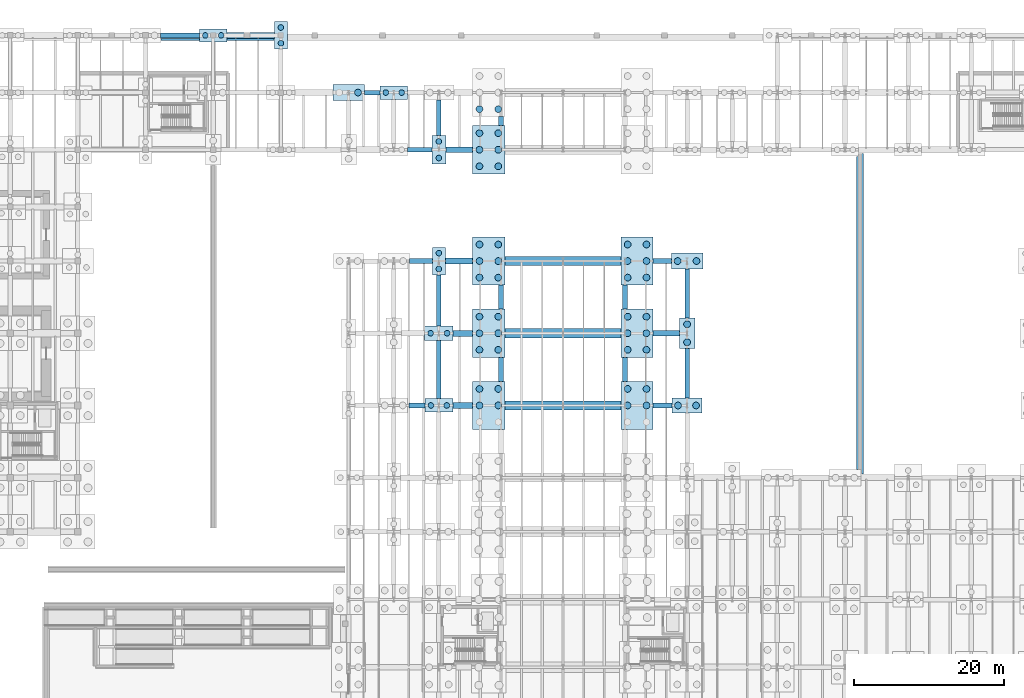
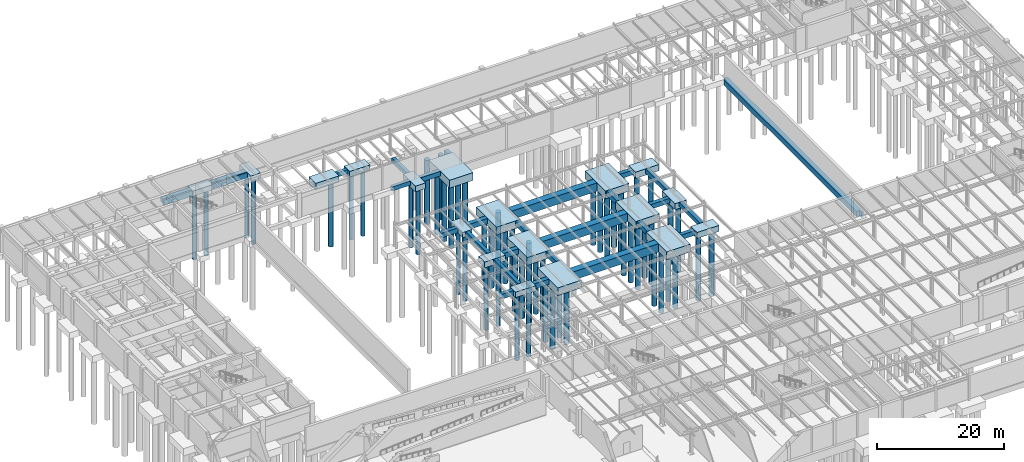
# One storey, part 8 of 59: 61 piles, 47 footings.
"""IFC4 building model written with IfcOpenShell, lengths in metres."""

from ifc_helpers import new_model, si_unit, direction, frame, origin, origin_2d, place, context, subcontext, project, spatial, polyline, rectangle, circle, outline, extrude, material, material_profile, profile_set, type_object, element, save


model = new_model("IFC4")

# Units and contexts
model_context = context("Model", 3, precision=1e-05, world=origin(), true_north=direction((0.0, 1.0)))
body_context = subcontext(model_context, "Body", "Model", "MODEL_VIEW")
ifc_project = project(units=[si_unit("LENGTHUNIT", "METRE"), si_unit("AREAUNIT", "SQUARE_METRE"), si_unit("VOLUMEUNIT", "CUBIC_METRE"), si_unit("PLANEANGLEUNIT", "RADIAN"), si_unit("MASSUNIT", "GRAM", prefix="KILO")], contexts=[model_context])

# Site, building, storey
site_placement = place(None, origin())
site = spatial("IfcSite", under=ifc_project, at=site_placement, CompositionType="ELEMENT")
building_placement = place(site_placement, origin())
building = spatial("IfcBuilding", under=site, at=building_placement, Name="Montealbar Specialist Clinic", CompositionType="ELEMENT")
storey_placement = place(building_placement, frame((0.0, 0.0, -4.800048828125)))
storey = spatial("IfcBuildingStorey", under=building, at=storey_placement, Name="B01", CompositionType="ELEMENT", Elevation=-4.800048828125)

# Footings
ifc_material = material(Name="Concrete C35/45", Category="concrete")
footing_type_1 = type_object("IfcFootingType", Name="FB-METRO-1200x1600", PredefinedType="FOOTING_BEAM", material=ifc_material)
footing_1_placement = place(storey_placement, frame((0.0, 0.0, -1.599853515625)))
element("IfcFooting", 1, at=footing_1_placement, inside=storey, type_object=footing_type_1, Name="Foundation Ground Beam FBX-748-902-618", PredefinedType="FOOTING_BEAM", context=body_context, shape_type="SweptSolid", body=[
    extrude(outline(polyline([(74.800048828125, 61.199951171875), (90.199951171875, 61.199951171875), (90.199951171875, 62.39990234375), (74.800048828125, 62.39990234375), (74.800048828125, 61.199951171875)])), origin(), (0.0, 0.0, 1.0), 1.599853515625),
])
footing_2_placement = place(storey_placement, frame((0.0, 0.0, -1.599853515625)))
element("IfcFooting", 2, at=footing_2_placement, inside=storey, type_object=footing_type_1, Name="Foundation Ground Beam FBX-748-902-714", PredefinedType="FOOTING_BEAM", context=body_context, shape_type="SweptSolid", body=[
    extrude(outline(polyline([(74.800048828125, 70.800048828125), (90.199951171875, 70.800048828125), (90.199951171875, 72.0), (74.800048828125, 72.0), (74.800048828125, 70.800048828125)])), origin(), (0.0, 0.0, 1.0), 1.599853515625),
])
footing_3_placement = place(storey_placement, frame((0.0, 0.0, -1.599853515625)))
element("IfcFooting", 3, at=footing_3_placement, inside=storey, type_object=footing_type_1, Name="Foundation Ground Beam FBX-748-902-810", PredefinedType="FOOTING_BEAM", context=body_context, shape_type="SweptSolid", body=[
    extrude(outline(polyline([(74.800048828125, 80.39990234375), (90.199951171875, 80.39990234375), (90.199951171875, 81.60009765625), (74.800048828125, 81.60009765625), (74.800048828125, 80.39990234375)])), origin(), (0.0, 0.0, 1.0), 1.599853515625),
])
footing_type_2 = type_object("IfcFootingType", Name="FB-TIE-600x800", PredefinedType="FOOTING_BEAM", material=ifc_material)
footing_4_placement = place(storey_placement, frame((0.0, 0.0, -0.800048828125)))
element("IfcFooting", 4, at=footing_4_placement, inside=storey, type_object=footing_type_2, Name="Foundation Ground Beam FBX-618-651-958", PredefinedType="FOOTING_BEAM", context=body_context, shape_type="SweptSolid", body=[
    extrude(outline(polyline([(61.800048828125, 95.5), (65.074951171875, 95.5), (65.074951171875, 96.10009765625), (61.800048828125, 96.10009765625), (61.800048828125, 95.5)])), origin(), (0.0, 0.0, 1.0), 0.800048828125),
])
footing_5_placement = place(storey_placement, frame((0.0, 0.0, -0.800048828125)))
element("IfcFooting", 5, at=footing_5_placement, inside=storey, type_object=footing_type_2, Name="Foundation Ground Beam FBX-561-582-1034", PredefinedType="FOOTING_BEAM", context=body_context, shape_type="SweptSolid", body=[
    extrude(outline(polyline([(56.10009765625, 103.10009765625), (58.14990234375, 103.10009765625), (58.14990234375, 103.699951171875), (56.10009765625, 103.699951171875), (56.10009765625, 103.10009765625)])), origin(), (0.0, 0.0, 1.0), 0.800048828125),
])
footing_6_placement = place(storey_placement, frame((0.0, 0.0, -0.800048828125)))
element("IfcFooting", 6, at=footing_6_placement, inside=storey, type_object=footing_type_2, Name="Foundation Tie Beam FBY-660-627-704", PredefinedType="FOOTING_BEAM", context=body_context, shape_type="SweptSolid", body=[
    extrude(outline(polyline([(65.699951171875, 62.699951171875), (66.300048828125, 62.699951171875), (66.300048828125, 70.449951171875), (65.699951171875, 70.449951171875), (65.699951171875, 62.699951171875)])), origin(), (0.0, 0.0, 1.0), 0.800048828125),
])
footing_7_placement = place(storey_placement, frame((0.0, 0.0, -0.800048828125)))
element("IfcFooting", 7, at=footing_7_placement, inside=storey, type_object=footing_type_2, Name="Foundation Tie Beam FBY-660-724-792", PredefinedType="FOOTING_BEAM", context=body_context, shape_type="SweptSolid", body=[
    extrude(outline(polyline([(65.699951171875, 72.35009765625), (66.300048828125, 72.35009765625), (66.300048828125, 79.175048828125), (65.699951171875, 79.175048828125), (65.699951171875, 72.35009765625)])), origin(), (0.0, 0.0, 1.0), 0.800048828125),
])
footing_8_placement = place(storey_placement, frame((0.0, 0.0, -0.800048828125)))
element("IfcFooting", 8, at=footing_8_placement, inside=storey, type_object=footing_type_2, Name="Foundation Tie Beam FBY-660-977-1024", PredefinedType="FOOTING_BEAM", context=body_context, shape_type="SweptSolid", body=[
    extrude(outline(polyline([(65.699951171875, 97.72509765625), (66.300048828125, 97.72509765625), (66.300048828125, 102.39990234375), (65.699951171875, 102.39990234375), (65.699951171875, 97.72509765625)])), origin(), (0.0, 0.0, 1.0), 0.800048828125),
])
footing_9_placement = place(storey_placement, frame((0.0, 0.0, -0.800048828125)))
element("IfcFooting", 9, at=footing_9_placement, inside=storey, type_object=footing_type_2, Name="Foundation Tie Beam FBY-990-628-694", PredefinedType="FOOTING_BEAM", context=body_context, shape_type="SweptSolid", body=[
    extrude(outline(polyline([(98.699951171875, 62.800048828125), (99.300048828125, 62.800048828125), (99.300048828125, 69.35009765625), (98.699951171875, 69.35009765625), (98.699951171875, 62.800048828125)])), origin(), (0.0, 0.0, 1.0), 0.800048828125),
])
footing_10_placement = place(storey_placement, frame((0.0, 0.0, -0.800048828125)))
element("IfcFooting", 10, at=footing_10_placement, inside=storey, type_object=footing_type_2, Name="Foundation Tie Beam FBY-990-734-799", PredefinedType="FOOTING_BEAM", context=body_context, shape_type="SweptSolid", body=[
    extrude(outline(polyline([(98.699951171875, 73.449951171875), (99.300048828125, 73.449951171875), (99.300048828125, 79.925048828125), (98.699951171875, 79.925048828125), (98.699951171875, 73.449951171875)])), origin(), (0.0, 0.0, 1.0), 0.800048828125),
])
footing_type_3 = type_object("IfcFootingType", Name="FB-TIE-700x900", PredefinedType="FOOTING_BEAM", material=ifc_material)
footing_11_placement = place(storey_placement, frame((0.0, 0.0, -0.89990234375)))
element("IfcFooting", 11, at=footing_11_placement, inside=storey, type_object=footing_type_3, Name="Foundation Ground Beam FBX-620-642-618", PredefinedType="FOOTING_BEAM", context=body_context, shape_type="SweptSolid", body=[
    extrude(outline(polyline([(62.0, 61.449951171875), (64.14990234375, 61.449951171875), (64.14990234375, 62.14990234375), (62.0, 62.14990234375), (62.0, 61.449951171875)])), origin(), (0.0, 0.0, 1.0), 0.89990234375),
])
footing_12_placement = place(storey_placement, frame((0.0, 0.0, -0.89990234375)))
element("IfcFooting", 12, at=footing_12_placement, inside=storey, type_object=footing_type_3, Name="Foundation Ground Beam FBX-945-970-618", PredefinedType="FOOTING_BEAM", context=body_context, shape_type="SweptSolid", body=[
    extrude(outline(polyline([(94.5, 61.449951171875), (97.0, 61.449951171875), (97.0, 62.14990234375), (94.5, 62.14990234375), (94.5, 61.449951171875)])), origin(), (0.0, 0.0, 1.0), 0.89990234375),
])
footing_13_placement = place(storey_placement, frame((0.0, 0.0, -0.89990234375)))
element("IfcFooting", 13, at=footing_13_placement, inside=storey, type_object=footing_type_3, Name="Foundation Ground Beam FBX-945-980-714", PredefinedType="FOOTING_BEAM", context=body_context, shape_type="SweptSolid", body=[
    extrude(outline(polyline([(94.5, 71.050048828125), (97.97509765625, 71.050048828125), (97.97509765625, 71.75), (94.5, 71.75), (94.5, 71.050048828125)])), origin(), (0.0, 0.0, 1.0), 0.89990234375),
])
footing_14_placement = place(storey_placement, frame((0.0, 0.0, -0.89990234375)))
element("IfcFooting", 14, at=footing_14_placement, inside=storey, type_object=footing_type_3, Name="Foundation Ground Beam FBX-621-651-810", PredefinedType="FOOTING_BEAM", context=body_context, shape_type="SweptSolid", body=[
    extrude(outline(polyline([(62.10009765625, 80.64990234375), (65.125, 80.64990234375), (65.125, 81.35009765625), (62.10009765625, 81.35009765625), (62.10009765625, 80.64990234375)])), origin(), (0.0, 0.0, 1.0), 0.89990234375),
])
footing_15_placement = place(storey_placement, frame((0.0, 0.0, -0.89990234375)))
element("IfcFooting", 15, at=footing_15_placement, inside=storey, type_object=footing_type_3, Name="Foundation Ground Beam FBX-945-969-810", PredefinedType="FOOTING_BEAM", context=body_context, shape_type="SweptSolid", body=[
    extrude(outline(polyline([(94.5, 80.64990234375), (96.89990234375, 80.64990234375), (96.89990234375, 81.35009765625), (94.5, 81.35009765625), (94.5, 80.64990234375)])), origin(), (0.0, 0.0, 1.0), 0.89990234375),
])
footing_16_placement = place(storey_placement, frame((0.0, 0.0, -0.89990234375)))
element("IfcFooting", 16, at=footing_16_placement, inside=storey, type_object=footing_type_3, Name="Foundation Ground Beam FBX-669-705-958", PredefinedType="FOOTING_BEAM", context=body_context, shape_type="SweptSolid", body=[
    extrude(outline(polyline([(66.925048828125, 95.449951171875), (70.5, 95.449951171875), (70.5, 96.14990234375), (66.925048828125, 96.14990234375), (66.925048828125, 95.449951171875)])), origin(), (0.0, 0.0, 1.0), 0.89990234375),
])
footing_17_placement = place(storey_placement, frame((0.0, 0.0, -0.89990234375)))
element("IfcFooting", 17, at=footing_17_placement, inside=storey, type_object=footing_type_3, Name="Foundation Ground Beam FBX-290-342-1110", PredefinedType="FOOTING_BEAM", context=body_context, shape_type="SweptSolid", body=[
    extrude(outline(polyline([(29.0, 110.64990234375), (34.199951171875, 110.64990234375), (34.199951171875, 111.35009765625), (29.0, 111.35009765625), (29.0, 110.64990234375)])), origin(), (0.0, 0.0, 1.0), 0.89990234375),
])
footing_18_placement = place(storey_placement, frame((0.0, 0.0, -0.89990234375)))
element("IfcFooting", 18, at=footing_18_placement, inside=storey, type_object=footing_type_3, Name="Foundation Tie Beam FBY-742-650-682", PredefinedType="FOOTING_BEAM", context=body_context, shape_type="SweptSolid", body=[
    extrude(outline(polyline([(73.89990234375, 65.0), (74.60009765625, 65.0), (74.60009765625, 68.199951171875), (73.89990234375, 68.199951171875), (73.89990234375, 65.0)])), origin(), (0.0, 0.0, 1.0), 0.89990234375),
])
footing_19_placement = place(storey_placement, frame((0.0, 0.0, -0.89990234375)))
element("IfcFooting", 19, at=footing_19_placement, inside=storey, type_object=footing_type_3, Name="Foundation Tie Beam FBY-742-746-778", PredefinedType="FOOTING_BEAM", context=body_context, shape_type="SweptSolid", body=[
    extrude(outline(polyline([(73.89990234375, 74.60009765625), (74.60009765625, 74.60009765625), (74.60009765625, 77.800048828125), (73.89990234375, 77.800048828125), (73.89990234375, 74.60009765625)])), origin(), (0.0, 0.0, 1.0), 0.89990234375),
])
footing_20_placement = place(storey_placement, frame((0.0, 0.0, -0.89990234375)))
element("IfcFooting", 20, at=footing_20_placement, inside=storey, type_object=footing_type_3, Name="Foundation Tie Beam FBY-742-990-1002", PredefinedType="FOOTING_BEAM", context=body_context, shape_type="SweptSolid", body=[
    extrude(outline(polyline([(73.89990234375, 99.0), (74.60009765625, 99.0), (74.60009765625, 100.199951171875), (73.89990234375, 100.199951171875), (73.89990234375, 99.0)])), origin(), (0.0, 0.0, 1.0), 0.89990234375),
])
footing_21_placement = place(storey_placement, frame((0.0, 0.0, -0.89990234375)))
element("IfcFooting", 21, at=footing_21_placement, inside=storey, type_object=footing_type_3, Name="Foundation Tie Beam FBY-908-650-682", PredefinedType="FOOTING_BEAM", context=body_context, shape_type="SweptSolid", body=[
    extrude(outline(polyline([(90.39990234375, 65.0), (91.10009765625, 65.0), (91.10009765625, 68.199951171875), (90.39990234375, 68.199951171875), (90.39990234375, 65.0)])), origin(), (0.0, 0.0, 1.0), 0.89990234375),
])
footing_22_placement = place(storey_placement, frame((0.0, 0.0, -0.89990234375)))
element("IfcFooting", 22, at=footing_22_placement, inside=storey, type_object=footing_type_3, Name="Foundation Tie Beam FBY-908-746-778", PredefinedType="FOOTING_BEAM", context=body_context, shape_type="SweptSolid", body=[
    extrude(outline(polyline([(90.39990234375, 74.60009765625), (91.10009765625, 74.60009765625), (91.10009765625, 77.800048828125), (90.39990234375, 77.800048828125), (90.39990234375, 74.60009765625)])), origin(), (0.0, 0.0, 1.0), 0.89990234375),
])
footing_type_4 = type_object("IfcFootingType", Name="FB-TIE-800x1000", PredefinedType="FOOTING_BEAM", material=ifc_material)
footing_23_placement = place(storey_placement, frame((0.0, 0.0, -1.0)))
element("IfcFooting", 23, at=footing_23_placement, inside=storey, type_object=footing_type_4, Name="Foundation Ground Beam FBX-678-705-618", PredefinedType="FOOTING_BEAM", context=body_context, shape_type="SweptSolid", body=[
    extrude(outline(polyline([(67.85009765625, 61.39990234375), (70.5, 61.39990234375), (70.5, 62.199951171875), (67.85009765625, 62.199951171875), (67.85009765625, 61.39990234375)])), origin(), (0.0, 0.0, 1.0), 1.0),
])
footing_24_placement = place(storey_placement, frame((0.0, 0.0, -1.0)))
element("IfcFooting", 24, at=footing_24_placement, inside=storey, type_object=footing_type_4, Name="Foundation Ground Beam FBX-679-705-714", PredefinedType="FOOTING_BEAM", context=body_context, shape_type="SweptSolid", body=[
    extrude(outline(polyline([(67.89990234375, 71.0), (70.5, 71.0), (70.5, 71.800048828125), (67.89990234375, 71.800048828125), (67.89990234375, 71.0)])), origin(), (0.0, 0.0, 1.0), 1.0),
])
footing_25_placement = place(storey_placement, frame((0.0, 0.0, -1.0)))
element("IfcFooting", 25, at=footing_25_placement, inside=storey, type_object=footing_type_4, Name="Foundation Ground Beam FBX-669-705-810", PredefinedType="FOOTING_BEAM", context=body_context, shape_type="SweptSolid", body=[
    extrude(outline(polyline([(66.875, 80.60009765625), (70.5, 80.60009765625), (70.5, 81.39990234375), (66.875, 81.39990234375), (66.875, 80.60009765625)])), origin(), (0.0, 0.0, 1.0), 1.0),
])
footing_26_placement = place(storey_placement, frame((0.0, 0.0, -1.0)))
element("IfcFooting", 26, at=footing_26_placement, inside=storey, type_object=footing_type_4, Name="Foundation Ground Beam FBX-378-441-1110", PredefinedType="FOOTING_BEAM", context=body_context, shape_type="SweptSolid", body=[
    extrude(outline(polyline([(37.800048828125, 110.60009765625), (44.125, 110.60009765625), (44.125, 111.39990234375), (37.800048828125, 111.39990234375), (37.800048828125, 110.60009765625)])), origin(), (0.0, 0.0, 1.0), 1.0),
])
footing_type_5 = type_object("IfcFootingType", Name="FT-CORE-STRIP", PredefinedType="STRIP_FOOTING", material=ifc_material)
footing_27_placement = place(storey_placement, frame((0.0, 0.0, -1.050048828125)))
element("IfcFooting", 27, at=footing_27_placement, inside=storey, type_object=footing_type_5, Name="Strip Footing FT-PLINTH-N-ALL-3", PredefinedType="STRIP_FOOTING", context=body_context, shape_type="SweptSolid", body=[
    extrude(outline(polyline([(29.030029296875, 110.6201171875), (34.169921875, 110.6201171875), (34.169921875, 110.300048828125), (29.030029296875, 110.300048828125), (29.030029296875, 110.6201171875)])), origin(), (0.0, 0.0, 1.0), 1.050048828125),
])
footing_28_placement = place(storey_placement, frame((0.0, 0.0, -1.050048828125)))
element("IfcFooting", 28, at=footing_28_placement, inside=storey, type_object=footing_type_5, Name="Strip Footing FT-PLINTH-N-ALL-4", PredefinedType="STRIP_FOOTING", context=body_context, shape_type="SweptSolid", body=[
    extrude(outline(polyline([(44.094970703125, 110.570068359375), (44.094970703125, 110.300048828125), (37.830078125, 110.300048828125), (37.830078125, 110.570068359375), (44.094970703125, 110.570068359375)])), origin(), (0.0, 0.0, 1.0), 1.050048828125),
])
footing_29_placement = place(storey_placement, frame((0.0, 0.0, -1.050048828125)))
element("IfcFooting", 29, at=footing_29_placement, inside=storey, type_object=footing_type_5, Name="Strip Footing FT-PLINTH-SUP-EC1-1", PredefinedType="STRIP_FOOTING", context=body_context, shape_type="SweptSolid", body=[
    extrude(outline(polyline([(122.1298828125, 53.304931640625), (121.550048828125, 53.304931640625), (121.550048828125, 94.919921875), (121.830078125, 94.919921875), (121.830078125, 95.300048828125), (122.449951171875, 95.300048828125), (122.449951171875, 52.699951171875), (122.1298828125, 52.699951171875), (122.1298828125, 53.304931640625)])), origin(), (0.0, 0.0, 1.0), 1.050048828125),
])
footing_type_6 = type_object("IfcFootingType", Name="PC-2A", PredefinedType="PILE_CAP", material=ifc_material)
footing_30_placement = place(storey_placement, frame((36.0, 111.0, -1.0), z_axis=(0.0, 0.0, 1.0), x_axis=(1.0, 0.0, 0.0)))
element("IfcFooting", 30, at=footing_30_placement, inside=storey, type_object=footing_type_6, Name="Pile Cap 5/P", PredefinedType="PILE_CAP", context=body_context, shape_type="SweptSolid", body=[
    extrude(rectangle(XDim=3.60009765625, YDim=1.699951171875, at=origin_2d()), origin(), (0.0, 0.0, 1.0), 1.0),
])
footing_type_7 = type_object("IfcFootingType", Name="PC-2B", PredefinedType="PILE_CAP", material=ifc_material)
for number, where, z_axis, x_axis, name in (
    (31, (60.0, 103.39990234375, -1.0498046875), (0.0, 0.0, 1.0), (1.0, 0.0, 0.0), "Pile Cap 8/N"),
    (32, (66.0, 61.800048828125, -1.0498046875), (0.0, 0.0, 1.0), (1.0, 0.0, 0.0), "Pile Cap 9/H"),
):
    element("IfcFooting", number, at=place(storey_placement, frame(where, z_axis=z_axis, x_axis=x_axis)), inside=storey, type_object=footing_type_7, Name=name, PredefinedType="PILE_CAP", context=body_context, shape_type="SweptSolid", body=[
        extrude(rectangle(XDim=3.699951171875, YDim=1.800048828125, at=origin_2d()), origin(), (0.0, 0.0, 1.0), 1.050048828125),
    ])
footing_type_8 = type_object("IfcFootingType", Name="PC-2C", PredefinedType="PILE_CAP", material=ifc_material)
footing_31_placement = place(storey_placement, frame((66.0, 71.39990234375, -1.10009765625), z_axis=(0.0, 0.0, 1.0), x_axis=(1.0, 0.0, 0.0)))
element("IfcFooting", 33, at=footing_31_placement, inside=storey, type_object=footing_type_8, Name="Pile Cap 9/J", PredefinedType="PILE_CAP", context=body_context, shape_type="SweptSolid", body=[
    extrude(rectangle(XDim=3.800048828125, YDim=1.89990234375, at=origin_2d()), origin(), (0.0, 0.0, 1.0), 1.10009765625),
])
footing_type_9 = type_object("IfcFootingType", Name="PC-2D", PredefinedType="PILE_CAP", material=ifc_material)
for number, where, z_axis, x_axis, name in (
    (34, (45.0, 111.0, -1.0), (0.0, 0.0, 1.0), (1.0, 0.0, 0.0), "Pile Cap 6/P"),
    (35, (66.0, 81.0, -1.0), (0.0, 0.0, 1.0), (1.0, 0.0, 0.0), "Pile Cap 9/K"),
):
    element("IfcFooting", number, at=place(storey_placement, frame(where, z_axis=z_axis, x_axis=x_axis)), inside=storey, type_object=footing_type_9, Name=name, PredefinedType="PILE_CAP", context=body_context, shape_type="SweptSolid", body=[
        extrude(rectangle(XDim=1.75, YDim=3.64990234375, at=origin_2d()), origin(), (0.0, 0.0, 1.0), 1.0),
    ])
footing_type_10 = type_object("IfcFootingType", Name="PC-2E", PredefinedType="PILE_CAP", material=ifc_material)
footing_32_placement = place(storey_placement, frame((66.0, 95.800048828125, -1.10009765625), z_axis=(0.0, 0.0, 1.0), x_axis=(1.0, 0.0, 0.0)))
element("IfcFooting", 36, at=footing_32_placement, inside=storey, type_object=footing_type_10, Name="Pile Cap 9/M", PredefinedType="PILE_CAP", context=body_context, shape_type="SweptSolid", body=[
    extrude(rectangle(XDim=1.85009765625, YDim=3.85009765625, at=origin_2d()), origin(), (0.0, 0.0, 1.0), 1.10009765625),
])
footing_type_11 = type_object("IfcFootingType", Name="PC-2F", PredefinedType="PILE_CAP", material=ifc_material)
footing_33_placement = place(storey_placement, frame((99.0, 61.800048828125, -1.14990234375), z_axis=(0.0, 0.0, 1.0), x_axis=(1.0, 0.0, 0.0)))
element("IfcFooting", 37, at=footing_33_placement, inside=storey, type_object=footing_type_11, Name="Pile Cap 13/H", PredefinedType="PILE_CAP", context=body_context, shape_type="SweptSolid", body=[
    extrude(rectangle(XDim=4.0, YDim=2.0, at=origin_2d()), origin(), (0.0, 0.0, 1.0), 1.14990234375),
])
footing_type_12 = type_object("IfcFootingType", Name="PC-2G", PredefinedType="PILE_CAP", material=ifc_material)
footing_34_placement = place(storey_placement, frame((99.0, 71.39990234375, -1.14990234375), z_axis=(0.0, 0.0, 1.0), x_axis=(1.0, 0.0, 0.0)))
element("IfcFooting", 38, at=footing_34_placement, inside=storey, type_object=footing_type_12, Name="Pile Cap 13/J", PredefinedType="PILE_CAP", context=body_context, shape_type="SweptSolid", body=[
    extrude(rectangle(XDim=2.050048828125, YDim=4.10009765625, at=origin_2d()), origin(), (0.0, 0.0, 1.0), 1.14990234375),
])
footing_type_13 = type_object("IfcFootingType", Name="PC-2H", PredefinedType="PILE_CAP", material=ifc_material)
for number, where, z_axis, x_axis, name in (
    (39, (54.0, 103.39990234375, -1.19970703125), (0.0, 0.0, 1.0), (1.0, 0.0, 0.0), "Pile Cap 7/N"),
    (40, (99.0, 81.0, -1.19970703125), (0.0, 0.0, 1.0), (1.0, 0.0, 0.0), "Pile Cap 13/K"),
):
    element("IfcFooting", number, at=place(storey_placement, frame(where, z_axis=z_axis, x_axis=x_axis)), inside=storey, type_object=footing_type_13, Name=name, PredefinedType="PILE_CAP", context=body_context, shape_type="SweptSolid", body=[
        extrude(rectangle(XDim=4.199951171875, YDim=2.14990234375, at=origin_2d()), origin(), (0.0, 0.0, 1.0), 1.199951171875),
    ])
footing_type_14 = type_object("IfcFootingType", Name="PC-6A", PredefinedType="PILE_CAP", material=ifc_material)
for number, where, z_axis, x_axis, name in (
    (41, (72.64990234375, 61.800048828125, -1.5), (0.0, 0.0, 1.0), (1.0, 0.0, 0.0), "Pile Cap 10/H"),
    (42, (72.64990234375, 71.39990234375, -1.5), (0.0, 0.0, 1.0), (1.0, 0.0, 0.0), "Pile Cap 10/J"),
    (43, (72.64990234375, 81.0, -1.5), (0.0, 0.0, 1.0), (1.0, 0.0, 0.0), "Pile Cap 10/K"),
    (44, (72.64990234375, 95.800048828125, -1.5), (0.0, 0.0, 1.0), (1.0, 0.0, 0.0), "Pile Cap 10/M"),
    (45, (92.35009765625, 61.800048828125, -1.5), (0.0, 0.0, 1.0), (1.0, 0.0, 0.0), "Pile Cap 12/H"),
    (46, (92.35009765625, 71.39990234375, -1.5), (0.0, 0.0, 1.0), (1.0, 0.0, 0.0), "Pile Cap 12/J"),
    (47, (92.35009765625, 81.0, -1.5), (0.0, 0.0, 1.0), (1.0, 0.0, 0.0), "Pile Cap 12/K"),
):
    element("IfcFooting", number, at=place(storey_placement, frame(where, z_axis=z_axis, x_axis=x_axis)), inside=storey, type_object=footing_type_14, Name=name, PredefinedType="PILE_CAP", context=body_context, shape_type="SweptSolid", body=[
        extrude(rectangle(XDim=4.300048828125, YDim=6.39990234375, at=origin_2d()), origin(), (0.0, 0.0, 1.0), 1.5),
    ])

# Piles
ifc_material_profile_1 = material_profile(ifc_material, circle(Radius=0.375, at=origin_2d()), Name="PILE D750", Category="concrete")
ifc_profile_set_1 = profile_set([ifc_material_profile_1], Name="Concrete C35/45")
pile_type_1 = type_object("IfcPileType", Name="PILE-D750", PredefinedType="BORED", material=ifc_profile_set_1)
for number, where, z_axis, x_axis, name in (
    (48, (34.949951171875, 111.0, -0.89990234375), (0.0, 0.0, -1.0), (1.0, 0.0, 0.0), "Bored Pile 5/P-P1"),
    (49, (37.050048828125, 111.0, -0.89990234375), (0.0, 0.0, -1.0), (1.0, 0.0, 0.0), "Bored Pile 5/P-P2"),
    (50, (45.0, 109.949951171875, -0.89990234375), (0.0, 0.0, -1.0), (1.0, 0.0, 0.0), "Bored Pile 6/P-P1"),
    (51, (45.0, 112.050048828125, -0.89990234375), (0.0, 0.0, -1.0), (1.0, 0.0, 0.0), "Bored Pile 6/P-P2"),
):
    element("IfcPile", number, at=place(storey_placement, frame(where, z_axis=z_axis, x_axis=x_axis)), inside=storey, type_object=pile_type_1, Name=name, PredefinedType="BORED", context=body_context, shape_type="SweptSolid", body=[
        extrude(circle(Radius=0.375, at=origin_2d()), origin(), (0.0, 0.0, 1.0), 12.800048828125),
    ])
for number, where, z_axis, x_axis, name in (
    (52, (58.949951171875, 103.39990234375, -0.949951171875), (0.0, 0.0, -1.0), (1.0, 0.0, 0.0), "Bored Pile 8/N-P1"),
    (53, (61.050048828125, 103.39990234375, -0.949951171875), (0.0, 0.0, -1.0), (1.0, 0.0, 0.0), "Bored Pile 8/N-P2"),
    (54, (64.949951171875, 61.800048828125, -0.949951171875), (0.0, 0.0, -1.0), (1.0, 0.0, 0.0), "Bored Pile 9/H-P1"),
    (55, (67.050048828125, 61.800048828125, -0.949951171875), (0.0, 0.0, -1.0), (1.0, 0.0, 0.0), "Bored Pile 9/H-P2"),
):
    element("IfcPile", number, at=place(storey_placement, frame(where, z_axis=z_axis, x_axis=x_axis)), inside=storey, type_object=pile_type_1, Name=name, PredefinedType="BORED", context=body_context, shape_type="SweptSolid", body=[
        extrude(circle(Radius=0.375, at=origin_2d()), origin(), (0.0, 0.0, 1.0), 12.75),
    ])
for number, where, z_axis, x_axis, name in (
    (56, (64.89990234375, 71.39990234375, -1.0), (0.0, 0.0, -1.0), (1.0, 0.0, 0.0), "Bored Pile 9/J-P1"),
    (57, (67.10009765625, 71.39990234375, -1.0), (0.0, 0.0, -1.0), (1.0, 0.0, 0.0), "Bored Pile 9/J-P2"),
):
    element("IfcPile", number, at=place(storey_placement, frame(where, z_axis=z_axis, x_axis=x_axis)), inside=storey, type_object=pile_type_1, Name=name, PredefinedType="BORED", context=body_context, shape_type="SweptSolid", body=[
        extrude(circle(Radius=0.375, at=origin_2d()), origin(), (0.0, 0.0, 1.0), 12.699951171875),
    ])
for number, where, z_axis, x_axis, name in (
    (58, (66.0, 79.949951171875, -0.89990234375), (0.0, 0.0, -1.0), (1.0, 0.0, 0.0), "Bored Pile 9/K-P1"),
    (59, (66.0, 82.050048828125, -0.89990234375), (0.0, 0.0, -1.0), (1.0, 0.0, 0.0), "Bored Pile 9/K-P2"),
):
    element("IfcPile", number, at=place(storey_placement, frame(where, z_axis=z_axis, x_axis=x_axis)), inside=storey, type_object=pile_type_1, Name=name, PredefinedType="BORED", context=body_context, shape_type="SweptSolid", body=[
        extrude(circle(Radius=0.375, at=origin_2d()), origin(), (0.0, 0.0, 1.0), 12.800048828125),
    ])
for number, where, z_axis, x_axis, name in (
    (60, (66.0, 94.699951171875, -1.0), (0.0, 0.0, -1.0), (1.0, 0.0, 0.0), "Bored Pile 9/M-P1"),
    (61, (66.0, 96.89990234375, -1.0), (0.0, 0.0, -1.0), (1.0, 0.0, 0.0), "Bored Pile 9/M-P2"),
):
    element("IfcPile", number, at=place(storey_placement, frame(where, z_axis=z_axis, x_axis=x_axis)), inside=storey, type_object=pile_type_1, Name=name, PredefinedType="BORED", context=body_context, shape_type="SweptSolid", body=[
        extrude(circle(Radius=0.375, at=origin_2d()), origin(), (0.0, 0.0, 1.0), 12.699951171875),
    ])
ifc_material_profile_2 = material_profile(ifc_material, circle(Radius=0.449951171875, at=origin_2d()), Name="PILE D900", Category="concrete")
ifc_profile_set_2 = profile_set([ifc_material_profile_2], Name="Concrete C35/45")
pile_type_2 = type_object("IfcPileType", Name="PILE-D900", PredefinedType="BORED", material=ifc_profile_set_2)
pile_placement = place(storey_placement, frame((55.25, 103.39990234375, -1.099853515625), z_axis=(0.0, 0.0, -1.0), x_axis=(1.0, 0.0, 0.0)))
element("IfcPile", 62, at=pile_placement, inside=storey, type_object=pile_type_2, Name="Bored Pile 7/N-P2", PredefinedType="BORED", context=body_context, shape_type="SweptSolid", body=[
    extrude(circle(Radius=0.449951171875, at=origin_2d()), origin(), (0.0, 0.0, 1.0), 12.60009765625),
])
for number, where, z_axis, x_axis, name in (
    (63, (71.39990234375, 61.800048828125, -1.39990234375), (0.0, 0.0, -1.0), (1.0, 0.0, 0.0), "Bored Pile 10/H-P3"),
    (64, (73.89990234375, 61.800048828125, -1.39990234375), (0.0, 0.0, -1.0), (1.0, 0.0, 0.0), "Bored Pile 10/H-P4"),
    (65, (71.39990234375, 64.0, -1.39990234375), (0.0, 0.0, -1.0), (1.0, 0.0, 0.0), "Bored Pile 10/H-P5"),
    (66, (73.89990234375, 64.0, -1.39990234375), (0.0, 0.0, -1.0), (1.0, 0.0, 0.0), "Bored Pile 10/H-P6"),
    (67, (71.39990234375, 69.199951171875, -1.39990234375), (0.0, 0.0, -1.0), (1.0, 0.0, 0.0), "Bored Pile 10/J-P1"),
    (68, (73.89990234375, 69.199951171875, -1.39990234375), (0.0, 0.0, -1.0), (1.0, 0.0, 0.0), "Bored Pile 10/J-P2"),
    (69, (71.39990234375, 71.39990234375, -1.39990234375), (0.0, 0.0, -1.0), (1.0, 0.0, 0.0), "Bored Pile 10/J-P3"),
    (70, (73.89990234375, 71.39990234375, -1.39990234375), (0.0, 0.0, -1.0), (1.0, 0.0, 0.0), "Bored Pile 10/J-P4"),
    (71, (71.39990234375, 73.60009765625, -1.39990234375), (0.0, 0.0, -1.0), (1.0, 0.0, 0.0), "Bored Pile 10/J-P5"),
    (72, (73.89990234375, 73.60009765625, -1.39990234375), (0.0, 0.0, -1.0), (1.0, 0.0, 0.0), "Bored Pile 10/J-P6"),
    (73, (71.39990234375, 78.800048828125, -1.39990234375), (0.0, 0.0, -1.0), (1.0, 0.0, 0.0), "Bored Pile 10/K-P1"),
    (74, (73.89990234375, 78.800048828125, -1.39990234375), (0.0, 0.0, -1.0), (1.0, 0.0, 0.0), "Bored Pile 10/K-P2"),
    (75, (71.39990234375, 81.0, -1.39990234375), (0.0, 0.0, -1.0), (1.0, 0.0, 0.0), "Bored Pile 10/K-P3"),
    (76, (73.89990234375, 81.0, -1.39990234375), (0.0, 0.0, -1.0), (1.0, 0.0, 0.0), "Bored Pile 10/K-P4"),
    (77, (71.39990234375, 83.199951171875, -1.39990234375), (0.0, 0.0, -1.0), (1.0, 0.0, 0.0), "Bored Pile 10/K-P5"),
    (78, (73.89990234375, 83.199951171875, -1.39990234375), (0.0, 0.0, -1.0), (1.0, 0.0, 0.0), "Bored Pile 10/K-P6"),
    (79, (71.39990234375, 93.60009765625, -1.39990234375), (0.0, 0.0, -1.0), (1.0, 0.0, 0.0), "Bored Pile 10/M-P1"),
    (80, (73.89990234375, 93.60009765625, -1.39990234375), (0.0, 0.0, -1.0), (1.0, 0.0, 0.0), "Bored Pile 10/M-P2"),
    (81, (71.39990234375, 95.800048828125, -1.39990234375), (0.0, 0.0, -1.0), (1.0, 0.0, 0.0), "Bored Pile 10/M-P3"),
    (82, (73.89990234375, 95.800048828125, -1.39990234375), (0.0, 0.0, -1.0), (1.0, 0.0, 0.0), "Bored Pile 10/M-P4"),
    (83, (71.39990234375, 98.0, -1.39990234375), (0.0, 0.0, -1.0), (1.0, 0.0, 0.0), "Bored Pile 10/M-P5"),
    (84, (73.89990234375, 98.0, -1.39990234375), (0.0, 0.0, -1.0), (1.0, 0.0, 0.0), "Bored Pile 10/M-P6"),
    (85, (71.39990234375, 101.199951171875, -1.39990234375), (0.0, 0.0, -1.0), (1.0, 0.0, 0.0), "Bored Pile 10/N-P1"),
    (86, (73.89990234375, 101.199951171875, -1.39990234375), (0.0, 0.0, -1.0), (1.0, 0.0, 0.0), "Bored Pile 10/N-P2"),
    (87, (91.10009765625, 61.800048828125, -1.39990234375), (0.0, 0.0, -1.0), (1.0, 0.0, 0.0), "Bored Pile 12/H-P3"),
    (88, (93.60009765625, 61.800048828125, -1.39990234375), (0.0, 0.0, -1.0), (1.0, 0.0, 0.0), "Bored Pile 12/H-P4"),
    (89, (91.10009765625, 64.0, -1.39990234375), (0.0, 0.0, -1.0), (1.0, 0.0, 0.0), "Bored Pile 12/H-P5"),
    (90, (93.60009765625, 64.0, -1.39990234375), (0.0, 0.0, -1.0), (1.0, 0.0, 0.0), "Bored Pile 12/H-P6"),
    (91, (91.10009765625, 69.199951171875, -1.39990234375), (0.0, 0.0, -1.0), (1.0, 0.0, 0.0), "Bored Pile 12/J-P1"),
    (92, (93.60009765625, 69.199951171875, -1.39990234375), (0.0, 0.0, -1.0), (1.0, 0.0, 0.0), "Bored Pile 12/J-P2"),
    (93, (91.10009765625, 71.39990234375, -1.39990234375), (0.0, 0.0, -1.0), (1.0, 0.0, 0.0), "Bored Pile 12/J-P3"),
    (94, (93.60009765625, 71.39990234375, -1.39990234375), (0.0, 0.0, -1.0), (1.0, 0.0, 0.0), "Bored Pile 12/J-P4"),
    (95, (91.10009765625, 73.60009765625, -1.39990234375), (0.0, 0.0, -1.0), (1.0, 0.0, 0.0), "Bored Pile 12/J-P5"),
    (96, (93.60009765625, 73.60009765625, -1.39990234375), (0.0, 0.0, -1.0), (1.0, 0.0, 0.0), "Bored Pile 12/J-P6"),
    (97, (91.10009765625, 78.800048828125, -1.39990234375), (0.0, 0.0, -1.0), (1.0, 0.0, 0.0), "Bored Pile 12/K-P1"),
    (98, (93.60009765625, 78.800048828125, -1.39990234375), (0.0, 0.0, -1.0), (1.0, 0.0, 0.0), "Bored Pile 12/K-P2"),
    (99, (91.10009765625, 81.0, -1.39990234375), (0.0, 0.0, -1.0), (1.0, 0.0, 0.0), "Bored Pile 12/K-P3"),
    (100, (93.60009765625, 81.0, -1.39990234375), (0.0, 0.0, -1.0), (1.0, 0.0, 0.0), "Bored Pile 12/K-P4"),
    (101, (91.10009765625, 83.199951171875, -1.39990234375), (0.0, 0.0, -1.0), (1.0, 0.0, 0.0), "Bored Pile 12/K-P5"),
    (102, (93.60009765625, 83.199951171875, -1.39990234375), (0.0, 0.0, -1.0), (1.0, 0.0, 0.0), "Bored Pile 12/K-P6"),
):
    element("IfcPile", number, at=place(storey_placement, frame(where, z_axis=z_axis, x_axis=x_axis)), inside=storey, type_object=pile_type_2, Name=name, PredefinedType="BORED", context=body_context, shape_type="SweptSolid", body=[
        extrude(circle(Radius=0.449951171875, at=origin_2d()), origin(), (0.0, 0.0, 1.0), 12.300048828125),
    ])
for number, where, z_axis, x_axis, name in (
    (103, (97.800048828125, 61.800048828125, -1.050048828125), (0.0, 0.0, -1.0), (1.0, 0.0, 0.0), "Bored Pile 13/H-P1"),
    (104, (100.199951171875, 61.800048828125, -1.050048828125), (0.0, 0.0, -1.0), (1.0, 0.0, 0.0), "Bored Pile 13/H-P2"),
    (105, (99.0, 70.199951171875, -1.050048828125), (0.0, 0.0, -1.0), (1.0, 0.0, 0.0), "Bored Pile 13/J-P1"),
    (106, (99.0, 72.60009765625, -1.050048828125), (0.0, 0.0, -1.0), (1.0, 0.0, 0.0), "Bored Pile 13/J-P2"),
):
    element("IfcPile", number, at=place(storey_placement, frame(where, z_axis=z_axis, x_axis=x_axis)), inside=storey, type_object=pile_type_2, Name=name, PredefinedType="BORED", context=body_context, shape_type="SweptSolid", body=[
        extrude(circle(Radius=0.449951171875, at=origin_2d()), origin(), (0.0, 0.0, 1.0), 12.64990234375),
    ])
for number, where, z_axis, x_axis, name in (
    (107, (97.75, 81.0, -1.099853515625), (0.0, 0.0, -1.0), (1.0, 0.0, 0.0), "Bored Pile 13/K-P1"),
    (108, (100.25, 81.0, -1.099853515625), (0.0, 0.0, -1.0), (1.0, 0.0, 0.0), "Bored Pile 13/K-P2"),
):
    element("IfcPile", number, at=place(storey_placement, frame(where, z_axis=z_axis, x_axis=x_axis)), inside=storey, type_object=pile_type_2, Name=name, PredefinedType="BORED", context=body_context, shape_type="SweptSolid", body=[
        extrude(circle(Radius=0.449951171875, at=origin_2d()), origin(), (0.0, 0.0, 1.0), 12.60009765625),
    ])

save(model, "model.ifc")
